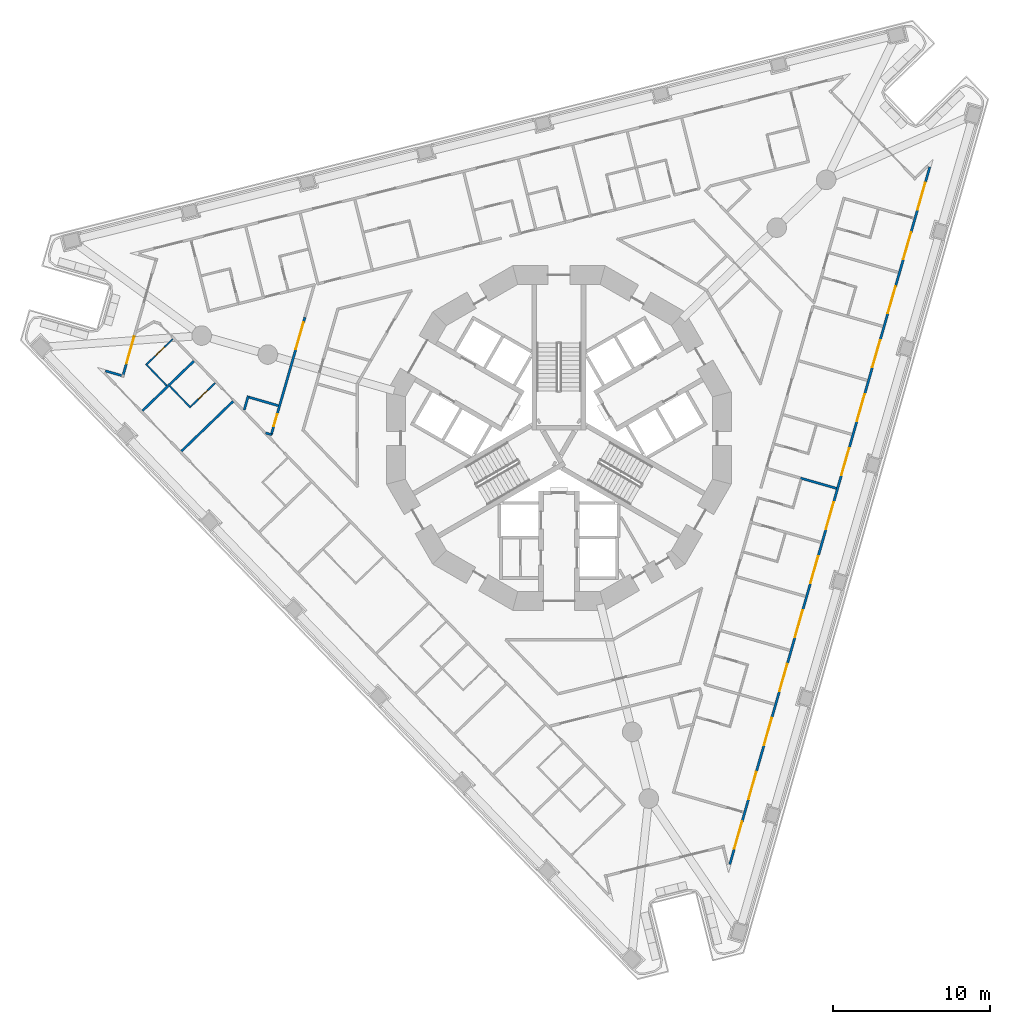
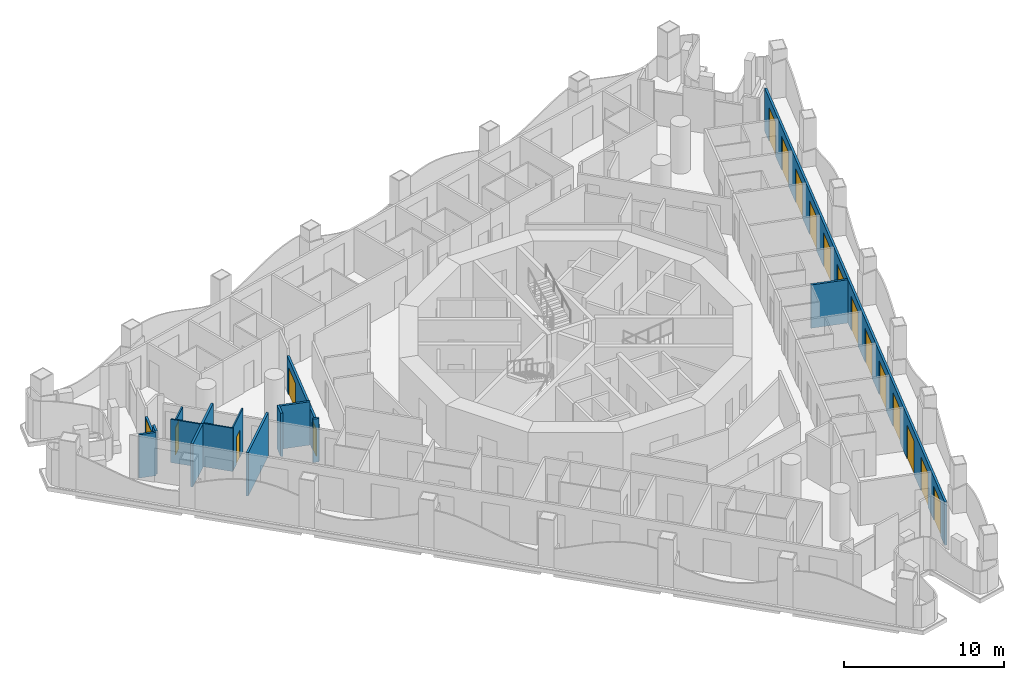
# One storey, part 6 of 20: 18 doors, 16 walls, 18 openings.
"""IFC4 building model written with IfcOpenShell, lengths in metres."""

from ifc_helpers import new_model, si_unit, direction, frame, frame_2d, origin, place, context, subcontext, project, spatial, polyline, rectangle, outline, extrude, material, layer, layer_set, type_object, element, fill, save


model = new_model("IFC4")

# Units and contexts
model_context = context("Model", 3, precision=1e-05, world=origin(), true_north=direction((0.0, 1.0)))
body_context = subcontext(model_context, "Body", "Model", "MODEL_VIEW")
ifc_project = project(units=[si_unit("LENGTHUNIT", "METRE"), si_unit("AREAUNIT", "SQUARE_METRE"), si_unit("VOLUMEUNIT", "CUBIC_METRE"), si_unit("PLANEANGLEUNIT", "RADIAN"), si_unit("MASSUNIT", "GRAM", prefix="KILO")], contexts=[model_context])

# Site, building, storey
site_placement = place(None, origin())
site = spatial("IfcSite", under=ifc_project, at=site_placement, CompositionType="ELEMENT")
building_placement = place(site_placement, origin())
building = spatial("IfcBuilding", under=site, at=building_placement, Name="Trine Commons Tower", CompositionType="ELEMENT")
storey_placement = place(building_placement, frame((0.0, 0.0, 101.699951171875)))
storey = spatial("IfcBuildingStorey", under=building, at=storey_placement, Name="L25", CompositionType="ELEMENT", Elevation=101.699951171875)

# Walls
ifc_material_1 = material(Name="Aluminium-framed insulated wall panel", Category="aluminium")
ifc_layer_1 = layer(ifc_material_1, 0.14990234375)
ifc_layer_set_1 = layer_set([ifc_layer_1], Name="Aluminium-framed insulated wall panel")
wall_type_1 = type_object("IfcWallType", Name="Glazed frame wall 150, EI 60", PredefinedType="SOLIDWALL", material=ifc_layer_set_1)
wall_1_placement = place(storey_placement, frame((50.88232421875, 66.82861328125, 0.0), z_axis=(0.0, 0.0, 1.0), x_axis=(0.961290718071, -0.275536123495, 0.0)))
element("IfcWall", 1, at=wall_1_placement, inside=storey, type_object=wall_type_1, Name="Glazed frame wall R1", PredefinedType="SOLIDWALL", context=body_context, shape_type="SweptSolid", body=[
    extrude(outline(polyline([(0.1494140625, 0.074951171875), (0.1494140625, -0.074951171875), (1.235107421875, -0.074951171875), (1.235107421875, 0.074951171875), (0.1494140625, 0.074951171875)])), origin(), (0.0, 0.0, 1.0), 3.300048828125),
])
wall_2_placement = place(storey_placement, frame((52.1318359375, 66.433837890625, 0.0), z_axis=(0.0, 0.0, 1.0), x_axis=(0.275567433055, 0.961281743215, 0.0)))
element("IfcWall", 2, at=wall_2_placement, inside=storey, type_object=wall_type_1, Name="Glazed frame wall P1.1", PredefinedType="SOLIDWALL", context=body_context, shape_type="SweptSolid", body=[
    extrude(outline(polyline([(0.110107421875, -0.074951171875), (0.800048828125, -0.074951171875), (0.800048828125, 0.074951171875), (0.110107421875, 0.074951171875), (0.110107421875, -0.074951171875)])), origin(), (0.0, 0.0, 1.0), 3.300048828125),
])

# Wall, opening, door
wall_3_placement = place(storey_placement, frame((52.352294921875, 67.202880859375, 0.0), z_axis=(0.0, 0.0, 1.0), x_axis=(0.275739195228, 0.961232488119, 0.0)))
wall_3 = element("IfcWall", 3, at=wall_3_placement, inside=storey, type_object=wall_type_1, Name="Glazed frame wall P1.2", PredefinedType="SOLIDWALL", context=body_context, shape_type="SweptSolid", body=[
    extrude(outline(polyline([(0.0, -0.074951171875), (1.89990234375, -0.074951171875), (1.89990234375, 0.074951171875), (0.0, 0.074951171875), (0.0, -0.074951171875)])), origin(), (0.0, 0.0, 1.0), 2.650146484375),
])
opening_1_placement = place(wall_3_placement, frame((0.050048828125, 0.0, 0.0)))
opening_1 = element("IfcOpeningElement", 4, at=opening_1_placement, cuts=wall_3, Name="Opening BD-3P1-01", PredefinedType="OPENING", context=body_context, shape_type="SweptSolid", body=[
    extrude(rectangle(XDim=1.800048828125, YDim=2.60009765625, at=frame_2d((0.89990234375, 1.300048828125))), frame((0.0, 0.0849609375, 0.0), z_axis=(0.0, -1.0, 0.0), x_axis=(1.0, 0.0, 0.0)), (0.0, 0.0, 1.0), 0.169921875),
])
ifc_material_2 = material(Name="Anodised aluminium frame with double glazing", Category="aluminium")
door_type_1 = type_object("IfcDoorType", Name="Sliding loggia door 1800x2600", OperationType="SLIDING_TO_LEFT", PredefinedType="DOOR", material=ifc_material_2)
door_1_placement = place(opening_1_placement, origin())
door_1 = element("IfcDoor", 5, at=door_1_placement, inside=storey, type_object=door_type_1, Name="Loggia door P1 1", OperationType="SLIDING_TO_LEFT", OverallHeight=2.60009765625, OverallWidth=1.800048828125, PredefinedType="DOOR", context=body_context, shape_type="SweptSolid", body=[
    extrude(rectangle(XDim=1.800048828125, YDim=2.60009765625, at=frame_2d((0.89990234375, 1.300048828125))), frame((0.0, 0.02490234375, 0.0), z_axis=(0.0, -1.0, 0.0), x_axis=(1.0, 0.0, 0.0)), (0.0, 0.0, 1.0), 0.050048828125),
])
fill(opening_1, door_1)

# Wall, openings, doors
wall_4_placement = place(storey_placement, frame((103.735107421875, 79.95703125, 0.0), z_axis=(0.0, 0.0, 1.0), x_axis=(-0.275637625225, -0.961261618687, 0.0)))
wall_4 = element("IfcWall", 6, at=wall_4_placement, inside=storey, type_object=wall_type_1, Name="Glazed frame wall F2", PredefinedType="SOLIDWALL", context=body_context, shape_type="SweptSolid", body=[
    extrude(outline(polyline([(0.1494140625, 0.074951171875), (0.1494140625, -0.074951171875), (46.496826171875, -0.074951171875), (46.496826171875, 0.074951171875), (0.1494140625, 0.074951171875)])), origin(), (0.0, 0.0, 1.0), 3.300048828125),
])
opening_2_placement = place(wall_4_placement, frame((1.194091796875, 0.0, 0.0)))
opening_2 = element("IfcOpeningElement", 7, at=opening_2_placement, cuts=wall_4, Name="Opening BD-3F2-01", PredefinedType="OPENING", context=body_context, shape_type="SweptSolid", body=[
    extrude(rectangle(XDim=1.800048828125, YDim=2.60009765625, at=frame_2d((0.89990234375, 1.300048828125))), frame((0.0, 0.0849609375, 0.0), z_axis=(0.0, -1.0, 0.0), x_axis=(1.0, 0.0, 0.0)), (0.0, 0.0, 1.0), 0.169921875),
])
opening_3_placement = place(wall_4_placement, frame((4.482421875, 0.0, 0.0)))
opening_3 = element("IfcOpeningElement", 8, at=opening_3_placement, cuts=wall_4, Name="Opening BD-3F2-02", PredefinedType="OPENING", context=body_context, shape_type="SweptSolid", body=[
    extrude(rectangle(XDim=1.800048828125, YDim=2.60009765625, at=frame_2d((0.89990234375, 1.300048828125))), frame((0.0, 0.0849609375, 0.0), z_axis=(0.0, -1.0, 0.0), x_axis=(1.0, 0.0, 0.0)), (0.0, 0.0, 1.0), 0.169921875),
])
opening_4_placement = place(wall_4_placement, frame((8.070556640625, 0.0, 0.0)))
opening_4 = element("IfcOpeningElement", 9, at=opening_4_placement, cuts=wall_4, Name="Opening BD-3F2-03", PredefinedType="OPENING", context=body_context, shape_type="SweptSolid", body=[
    extrude(rectangle(XDim=1.800048828125, YDim=2.60009765625, at=frame_2d((0.89990234375, 1.300048828125))), frame((0.0, 0.0849609375, 0.0), z_axis=(0.0, -1.0, 0.0), x_axis=(1.0, 0.0, 0.0)), (0.0, 0.0, 1.0), 0.169921875),
])
opening_5_placement = place(wall_4_placement, frame((11.65869140625, 0.0, 0.0)))
opening_5 = element("IfcOpeningElement", 10, at=opening_5_placement, cuts=wall_4, Name="Opening BD-3F2-04", PredefinedType="OPENING", context=body_context, shape_type="SweptSolid", body=[
    extrude(rectangle(XDim=1.800048828125, YDim=2.60009765625, at=frame_2d((0.89990234375, 1.300048828125))), frame((0.0, 0.0849609375, 0.0), z_axis=(0.0, -1.0, 0.0), x_axis=(1.0, 0.0, 0.0)), (0.0, 0.0, 1.0), 0.169921875),
])
opening_6_placement = place(wall_4_placement, frame((15.246826171875, 0.0, 0.0)))
opening_6 = element("IfcOpeningElement", 11, at=opening_6_placement, cuts=wall_4, Name="Opening BD-3F2-05", PredefinedType="OPENING", context=body_context, shape_type="SweptSolid", body=[
    extrude(rectangle(XDim=1.800048828125, YDim=2.60009765625, at=frame_2d((0.89990234375, 1.300048828125))), frame((0.0, 0.0849609375, 0.0), z_axis=(0.0, -1.0, 0.0), x_axis=(1.0, 0.0, 0.0)), (0.0, 0.0, 1.0), 0.169921875),
])
opening_7_placement = place(wall_4_placement, frame((18.835205078125, 0.0, 0.0)))
opening_7 = element("IfcOpeningElement", 12, at=opening_7_placement, cuts=wall_4, Name="Opening BD-3F2-06", PredefinedType="OPENING", context=body_context, shape_type="SweptSolid", body=[
    extrude(rectangle(XDim=1.800048828125, YDim=2.60009765625, at=frame_2d((0.89990234375, 1.300048828125))), frame((0.0, 0.0849609375, 0.0), z_axis=(0.0, -1.0, 0.0), x_axis=(1.0, 0.0, 0.0)), (0.0, 0.0, 1.0), 0.169921875),
])
opening_8_placement = place(wall_4_placement, frame((22.42333984375, 0.0, 0.0)))
opening_8 = element("IfcOpeningElement", 13, at=opening_8_placement, cuts=wall_4, Name="Opening BD-3F2-07", PredefinedType="OPENING", context=body_context, shape_type="SweptSolid", body=[
    extrude(rectangle(XDim=1.800048828125, YDim=2.60009765625, at=frame_2d((0.89990234375, 1.300048828125))), frame((0.0, 0.0849609375, 0.0), z_axis=(0.0, -1.0, 0.0), x_axis=(1.0, 0.0, 0.0)), (0.0, 0.0, 1.0), 0.169921875),
])
opening_9_placement = place(wall_4_placement, frame((26.011474609375, 0.0, 0.0)))
opening_9 = element("IfcOpeningElement", 14, at=opening_9_placement, cuts=wall_4, Name="Opening BD-3F2-08", PredefinedType="OPENING", context=body_context, shape_type="SweptSolid", body=[
    extrude(rectangle(XDim=1.800048828125, YDim=2.60009765625, at=frame_2d((0.89990234375, 1.300048828125))), frame((0.0, 0.0849609375, 0.0), z_axis=(0.0, -1.0, 0.0), x_axis=(1.0, 0.0, 0.0)), (0.0, 0.0, 1.0), 0.169921875),
])
opening_10_placement = place(wall_4_placement, frame((29.599609375, 0.0, 0.0)))
opening_10 = element("IfcOpeningElement", 15, at=opening_10_placement, cuts=wall_4, Name="Opening BD-3F2-09", PredefinedType="OPENING", context=body_context, shape_type="SweptSolid", body=[
    extrude(rectangle(XDim=1.800048828125, YDim=2.60009765625, at=frame_2d((0.89990234375, 1.300048828125))), frame((0.0, 0.0849609375, 0.0), z_axis=(0.0, -1.0, 0.0), x_axis=(1.0, 0.0, 0.0)), (0.0, 0.0, 1.0), 0.169921875),
])
opening_11_placement = place(wall_4_placement, frame((33.18798828125, 0.0, 0.0)))
opening_11 = element("IfcOpeningElement", 16, at=opening_11_placement, cuts=wall_4, Name="Opening BD-3F2-10", PredefinedType="OPENING", context=body_context, shape_type="SweptSolid", body=[
    extrude(rectangle(XDim=1.800048828125, YDim=2.60009765625, at=frame_2d((0.89990234375, 1.300048828125))), frame((0.0, 0.0849609375, 0.0), z_axis=(0.0, -1.0, 0.0), x_axis=(1.0, 0.0, 0.0)), (0.0, 0.0, 1.0), 0.169921875),
])
opening_12_placement = place(wall_4_placement, frame((36.776123046875, 0.0, 0.0)))
opening_12 = element("IfcOpeningElement", 17, at=opening_12_placement, cuts=wall_4, Name="Opening BD-3F2-11", PredefinedType="OPENING", context=body_context, shape_type="SweptSolid", body=[
    extrude(rectangle(XDim=1.800048828125, YDim=2.60009765625, at=frame_2d((0.89990234375, 1.300048828125))), frame((0.0, 0.0849609375, 0.0), z_axis=(0.0, -1.0, 0.0), x_axis=(1.0, 0.0, 0.0)), (0.0, 0.0, 1.0), 0.169921875),
])
opening_13_placement = place(wall_4_placement, frame((40.3642578125, 0.0, 0.0)))
opening_13 = element("IfcOpeningElement", 18, at=opening_13_placement, cuts=wall_4, Name="Opening BD-3F2-12", PredefinedType="OPENING", context=body_context, shape_type="SweptSolid", body=[
    extrude(rectangle(XDim=1.800048828125, YDim=2.60009765625, at=frame_2d((0.89990234375, 1.300048828125))), frame((0.0, 0.0849609375, 0.0), z_axis=(0.0, -1.0, 0.0), x_axis=(1.0, 0.0, 0.0)), (0.0, 0.0, 1.0), 0.169921875),
])
opening_14_placement = place(wall_4_placement, frame((43.652587890625, 0.0, 0.0)))
opening_14 = element("IfcOpeningElement", 19, at=opening_14_placement, cuts=wall_4, Name="Opening BD-3F2-13", PredefinedType="OPENING", context=body_context, shape_type="SweptSolid", body=[
    extrude(rectangle(XDim=1.800048828125, YDim=2.60009765625, at=frame_2d((0.89990234375, 1.300048828125))), frame((0.0, 0.0849609375, 0.0), z_axis=(0.0, -1.0, 0.0), x_axis=(1.0, 0.0, 0.0)), (0.0, 0.0, 1.0), 0.169921875),
])
door_2_placement = place(opening_2_placement, origin())
door_2 = element("IfcDoor", 20, at=door_2_placement, inside=storey, type_object=door_type_1, Name="Loggia door F2 1", OperationType="SLIDING_TO_LEFT", OverallHeight=2.60009765625, OverallWidth=1.800048828125, PredefinedType="DOOR", context=body_context, shape_type="SweptSolid", body=[
    extrude(rectangle(XDim=1.800048828125, YDim=2.60009765625, at=frame_2d((0.89990234375, 1.300048828125))), frame((0.0, 0.02490234375, 0.0), z_axis=(0.0, -1.0, 0.0), x_axis=(1.0, 0.0, 0.0)), (0.0, 0.0, 1.0), 0.050048828125),
])
fill(opening_2, door_2)
door_3_placement = place(opening_3_placement, origin())
door_3 = element("IfcDoor", 21, at=door_3_placement, inside=storey, type_object=door_type_1, Name="Loggia door F2 2", OperationType="SLIDING_TO_LEFT", OverallHeight=2.60009765625, OverallWidth=1.800048828125, PredefinedType="DOOR", context=body_context, shape_type="SweptSolid", body=[
    extrude(rectangle(XDim=1.800048828125, YDim=2.60009765625, at=frame_2d((0.89990234375, 1.300048828125))), frame((0.0, 0.02490234375, 0.0), z_axis=(0.0, -1.0, 0.0), x_axis=(1.0, 0.0, 0.0)), (0.0, 0.0, 1.0), 0.050048828125),
])
fill(opening_3, door_3)
door_4_placement = place(opening_4_placement, origin())
door_4 = element("IfcDoor", 22, at=door_4_placement, inside=storey, type_object=door_type_1, Name="Loggia door F2 3", OperationType="SLIDING_TO_LEFT", OverallHeight=2.60009765625, OverallWidth=1.800048828125, PredefinedType="DOOR", context=body_context, shape_type="SweptSolid", body=[
    extrude(rectangle(XDim=1.800048828125, YDim=2.60009765625, at=frame_2d((0.89990234375, 1.300048828125))), frame((0.0, 0.02490234375, 0.0), z_axis=(0.0, -1.0, 0.0), x_axis=(1.0, 0.0, 0.0)), (0.0, 0.0, 1.0), 0.050048828125),
])
fill(opening_4, door_4)
door_5_placement = place(opening_5_placement, origin())
door_5 = element("IfcDoor", 23, at=door_5_placement, inside=storey, type_object=door_type_1, Name="Loggia door F2 4", OperationType="SLIDING_TO_LEFT", OverallHeight=2.60009765625, OverallWidth=1.800048828125, PredefinedType="DOOR", context=body_context, shape_type="SweptSolid", body=[
    extrude(rectangle(XDim=1.800048828125, YDim=2.60009765625, at=frame_2d((0.89990234375, 1.300048828125))), frame((0.0, 0.02490234375, 0.0), z_axis=(0.0, -1.0, 0.0), x_axis=(1.0, 0.0, 0.0)), (0.0, 0.0, 1.0), 0.050048828125),
])
fill(opening_5, door_5)
door_6_placement = place(opening_6_placement, origin())
door_6 = element("IfcDoor", 24, at=door_6_placement, inside=storey, type_object=door_type_1, Name="Loggia door F2 5", OperationType="SLIDING_TO_LEFT", OverallHeight=2.60009765625, OverallWidth=1.800048828125, PredefinedType="DOOR", context=body_context, shape_type="SweptSolid", body=[
    extrude(rectangle(XDim=1.800048828125, YDim=2.60009765625, at=frame_2d((0.89990234375, 1.300048828125))), frame((0.0, 0.02490234375, 0.0), z_axis=(0.0, -1.0, 0.0), x_axis=(1.0, 0.0, 0.0)), (0.0, 0.0, 1.0), 0.050048828125),
])
fill(opening_6, door_6)
door_7_placement = place(opening_7_placement, origin())
door_7 = element("IfcDoor", 25, at=door_7_placement, inside=storey, type_object=door_type_1, Name="Loggia door F2 6", OperationType="SLIDING_TO_LEFT", OverallHeight=2.60009765625, OverallWidth=1.800048828125, PredefinedType="DOOR", context=body_context, shape_type="SweptSolid", body=[
    extrude(rectangle(XDim=1.800048828125, YDim=2.60009765625, at=frame_2d((0.89990234375, 1.300048828125))), frame((0.0, 0.02490234375, 0.0), z_axis=(0.0, -1.0, 0.0), x_axis=(1.0, 0.0, 0.0)), (0.0, 0.0, 1.0), 0.050048828125),
])
fill(opening_7, door_7)
door_8_placement = place(opening_8_placement, origin())
door_8 = element("IfcDoor", 26, at=door_8_placement, inside=storey, type_object=door_type_1, Name="Loggia door F2 7", OperationType="SLIDING_TO_LEFT", OverallHeight=2.60009765625, OverallWidth=1.800048828125, PredefinedType="DOOR", context=body_context, shape_type="SweptSolid", body=[
    extrude(rectangle(XDim=1.800048828125, YDim=2.60009765625, at=frame_2d((0.89990234375, 1.300048828125))), frame((0.0, 0.02490234375, 0.0), z_axis=(0.0, -1.0, 0.0), x_axis=(1.0, 0.0, 0.0)), (0.0, 0.0, 1.0), 0.050048828125),
])
fill(opening_8, door_8)
door_9_placement = place(opening_9_placement, origin())
door_9 = element("IfcDoor", 27, at=door_9_placement, inside=storey, type_object=door_type_1, Name="Loggia door F2 8", OperationType="SLIDING_TO_LEFT", OverallHeight=2.60009765625, OverallWidth=1.800048828125, PredefinedType="DOOR", context=body_context, shape_type="SweptSolid", body=[
    extrude(rectangle(XDim=1.800048828125, YDim=2.60009765625, at=frame_2d((0.89990234375, 1.300048828125))), frame((0.0, 0.02490234375, 0.0), z_axis=(0.0, -1.0, 0.0), x_axis=(1.0, 0.0, 0.0)), (0.0, 0.0, 1.0), 0.050048828125),
])
fill(opening_9, door_9)
door_10_placement = place(opening_10_placement, origin())
door_10 = element("IfcDoor", 28, at=door_10_placement, inside=storey, type_object=door_type_1, Name="Loggia door F2 9", OperationType="SLIDING_TO_LEFT", OverallHeight=2.60009765625, OverallWidth=1.800048828125, PredefinedType="DOOR", context=body_context, shape_type="SweptSolid", body=[
    extrude(rectangle(XDim=1.800048828125, YDim=2.60009765625, at=frame_2d((0.89990234375, 1.300048828125))), frame((0.0, 0.02490234375, 0.0), z_axis=(0.0, -1.0, 0.0), x_axis=(1.0, 0.0, 0.0)), (0.0, 0.0, 1.0), 0.050048828125),
])
fill(opening_10, door_10)
door_11_placement = place(opening_11_placement, origin())
door_11 = element("IfcDoor", 29, at=door_11_placement, inside=storey, type_object=door_type_1, Name="Loggia door F2 10", OperationType="SLIDING_TO_LEFT", OverallHeight=2.60009765625, OverallWidth=1.800048828125, PredefinedType="DOOR", context=body_context, shape_type="SweptSolid", body=[
    extrude(rectangle(XDim=1.800048828125, YDim=2.60009765625, at=frame_2d((0.89990234375, 1.300048828125))), frame((0.0, 0.02490234375, 0.0), z_axis=(0.0, -1.0, 0.0), x_axis=(1.0, 0.0, 0.0)), (0.0, 0.0, 1.0), 0.050048828125),
])
fill(opening_11, door_11)
door_12_placement = place(opening_12_placement, origin())
door_12 = element("IfcDoor", 30, at=door_12_placement, inside=storey, type_object=door_type_1, Name="Loggia door F2 11", OperationType="SLIDING_TO_LEFT", OverallHeight=2.60009765625, OverallWidth=1.800048828125, PredefinedType="DOOR", context=body_context, shape_type="SweptSolid", body=[
    extrude(rectangle(XDim=1.800048828125, YDim=2.60009765625, at=frame_2d((0.89990234375, 1.300048828125))), frame((0.0, 0.02490234375, 0.0), z_axis=(0.0, -1.0, 0.0), x_axis=(1.0, 0.0, 0.0)), (0.0, 0.0, 1.0), 0.050048828125),
])
fill(opening_12, door_12)
door_13_placement = place(opening_13_placement, origin())
door_13 = element("IfcDoor", 31, at=door_13_placement, inside=storey, type_object=door_type_1, Name="Loggia door F2 12", OperationType="SLIDING_TO_LEFT", OverallHeight=2.60009765625, OverallWidth=1.800048828125, PredefinedType="DOOR", context=body_context, shape_type="SweptSolid", body=[
    extrude(rectangle(XDim=1.800048828125, YDim=2.60009765625, at=frame_2d((0.89990234375, 1.300048828125))), frame((0.0, 0.02490234375, 0.0), z_axis=(0.0, -1.0, 0.0), x_axis=(1.0, 0.0, 0.0)), (0.0, 0.0, 1.0), 0.050048828125),
])
fill(opening_13, door_13)
door_14_placement = place(opening_14_placement, origin())
door_14 = element("IfcDoor", 32, at=door_14_placement, inside=storey, type_object=door_type_1, Name="Loggia door F2 13", OperationType="SLIDING_TO_LEFT", OverallHeight=2.60009765625, OverallWidth=1.800048828125, PredefinedType="DOOR", context=body_context, shape_type="SweptSolid", body=[
    extrude(rectangle(XDim=1.800048828125, YDim=2.60009765625, at=frame_2d((0.89990234375, 1.300048828125))), frame((0.0, 0.02490234375, 0.0), z_axis=(0.0, -1.0, 0.0), x_axis=(1.0, 0.0, 0.0)), (0.0, 0.0, 1.0), 0.050048828125),
])
fill(opening_14, door_14)

# Walls
ifc_material_3 = material(Name="Gypsum plasterboard on steel stud", Category="steel")
ifc_layer_2 = layer(ifc_material_3, 0.14990234375)
ifc_layer_set_2 = layer_set([ifc_layer_2], Name="Gypsum plasterboard on steel stud")
wall_type_2 = type_object("IfcWallType", Name="Unit and corridor wall 150 mm, EI 60", PredefinedType="PARTITIONING", material=ifc_layer_set_2)
wall_5_placement = place(storey_placement, frame((53.393798828125, 64.24169921875, 0.0), z_axis=(0.0, 0.0, 1.0), x_axis=(0.719519490092, 0.694472248098, 0.0)))
element("IfcWall", 33, at=wall_5_placement, inside=storey, type_object=wall_type_2, Name="Partition 002", PredefinedType="PARTITIONING", context=body_context, shape_type="SweptSolid", body=[
    extrude(rectangle(XDim=2.28076171875, YDim=0.14990234375, at=frame_2d((1.140380859375, 0.0))), origin(), (0.0, 0.0, 1.0), 3.300048828125),
])
wall_6_placement = place(storey_placement, frame((55.047119140625, 65.83837890625, 0.0), z_axis=(0.0, 0.0, 1.0), x_axis=(0.719183209113, 0.694820488853, 0.0)))
element("IfcWall", 34, at=wall_6_placement, inside=storey, type_object=wall_type_2, Name="Partition 008", PredefinedType="PARTITIONING", context=body_context, shape_type="SweptSolid", body=[
    extrude(rectangle(XDim=2.27490234375, YDim=0.14990234375, at=frame_2d((1.137451171875, 0.0))), origin(), (0.0, 0.0, 1.0), 3.300048828125),
])
wall_7_placement = place(storey_placement, frame((55.88671875, 61.660888671875, 0.0), z_axis=(0.0, 0.0, 1.0), x_axis=(0.719385819916, 0.694610712632, 0.0)))
element("IfcWall", 35, at=wall_7_placement, inside=storey, type_object=wall_type_2, Name="Partition 009", PredefinedType="PARTITIONING", context=body_context, shape_type="SweptSolid", body=[
    extrude(rectangle(XDim=4.572265625, YDim=0.14990234375, at=frame_2d((2.2861328125, 0.0))), origin(), (0.0, 0.0, 1.0), 3.300048828125),
])
wall_8_placement = place(storey_placement, frame((59.8935546875, 64.295166015625, 0.0), z_axis=(0.0, 0.0, 1.0), x_axis=(0.275099226296, 0.96141583911, 0.0)))
element("IfcWall", 36, at=wall_8_placement, inside=storey, type_object=wall_type_2, Name="Partition 016", PredefinedType="PARTITIONING", context=body_context, shape_type="SweptSolid", body=[
    extrude(rectangle(XDim=0.93798828125, YDim=0.14990234375, at=frame_2d((0.468994140625, 0.0))), origin(), (0.0, 0.0, 1.0), 3.300048828125),
])
wall_9_placement = place(storey_placement, frame((60.203125, 65.104248046875, 0.0), z_axis=(0.0, 0.0, 1.0), x_axis=(0.961258970078, -0.275646861845, 0.0)))
element("IfcWall", 37, at=wall_9_placement, inside=storey, type_object=wall_type_2, Name="Partition 018", PredefinedType="PARTITIONING", context=body_context, shape_type="SweptSolid", body=[
    extrude(rectangle(XDim=1.9501953125, YDim=0.14990234375, at=frame_2d((0.97509765625, 0.0))), origin(), (0.0, 0.0, 1.0), 3.300048828125),
])
wall_10_placement = place(storey_placement, frame((61.261962890625, 62.823974609375, 0.0), z_axis=(0.0, 0.0, 1.0), x_axis=(0.960829843292, -0.2771389764, 0.0)))
element("IfcWall", 38, at=wall_10_placement, inside=storey, type_object=wall_type_2, Name="Partition 022", PredefinedType="PARTITIONING", context=body_context, shape_type="SweptSolid", body=[
    extrude(rectangle(XDim=0.39990234375, YDim=0.14990234375, at=frame_2d((0.199951171875, 0.0))), origin(), (0.0, 0.0, 1.0), 3.300048828125),
])

# Wall, openings, doors
wall_11_placement = place(storey_placement, frame((61.625, 62.715087890625, 0.0), z_axis=(0.0, 0.0, 1.0), x_axis=(0.275614307244, 0.961268304711, 0.0)))
wall_11 = element("IfcWall", 39, at=wall_11_placement, inside=storey, type_object=wall_type_2, Name="Partition 023", PredefinedType="PARTITIONING", context=body_context, shape_type="SweptSolid", body=[
    extrude(rectangle(XDim=7.796875, YDim=0.14990234375, at=frame_2d((3.8984375, 0.0))), origin(), (0.0, 0.0, 1.0), 2.75),
])
opening_15_placement = place(wall_11_placement, frame((5.67919921875, 0.0, 0.0)))
opening_15 = element("IfcOpeningElement", 40, at=opening_15_placement, cuts=wall_11, Name="Opening D-3B03", PredefinedType="OPENING", context=body_context, shape_type="SweptSolid", body=[
    extrude(rectangle(XDim=1.800048828125, YDim=2.10009765625, at=frame_2d((0.89990234375, 1.050048828125))), frame((0.0, 0.0849609375, 0.0), z_axis=(0.0, -1.0, 0.0), x_axis=(1.0, 0.0, 0.0)), (0.0, 0.0, 1.0), 0.169921875),
])
opening_16_placement = place(wall_11_placement, frame((0.554443359375, 0.0, 0.0)))
opening_16 = element("IfcOpeningElement", 41, at=opening_16_placement, cuts=wall_11, Name="Opening D-3B06", PredefinedType="OPENING", context=body_context, shape_type="SweptSolid", body=[
    extrude(rectangle(XDim=0.800048828125, YDim=2.10009765625, at=frame_2d((0.39990234375, 1.050048828125))), frame((0.0, 0.0849609375, 0.0), z_axis=(0.0, -1.0, 0.0), x_axis=(1.0, 0.0, 0.0)), (0.0, 0.0, 1.0), 0.169921875),
])
ifc_material_4 = material(Name="Timber fire door set", Category="wood")
door_type_2 = type_object("IfcDoorType", Name="Cluster entrance door 1800 x 2100, double leaf, FD30S", OperationType="DOUBLE_DOOR_DOUBLE_SWING", PredefinedType="DOOR", material=ifc_material_4)
door_15_placement = place(opening_15_placement, origin())
door_15 = element("IfcDoor", 42, at=door_15_placement, inside=storey, type_object=door_type_2, Name="Door D-3B03", OperationType="DOUBLE_DOOR_DOUBLE_SWING", OverallHeight=2.10009765625, OverallWidth=1.800048828125, PredefinedType="DOOR", context=body_context, shape_type="SweptSolid", body=[
    extrude(rectangle(XDim=1.800048828125, YDim=2.10009765625, at=frame_2d((0.89990234375, 1.050048828125))), frame((0.0, 0.02490234375, 0.0), z_axis=(0.0, -1.0, 0.0), x_axis=(1.0, 0.0, 0.0)), (0.0, 0.0, 1.0), 0.050048828125),
])
fill(opening_15, door_15)
ifc_material_5 = material(Name="Painted timber", Category="wood")
door_type_3 = type_object("IfcDoorType", Name="Toilet door 800 x 2100, NOT RATED", OperationType="NOTDEFINED", PredefinedType="DOOR", material=ifc_material_5)
door_16_placement = place(opening_16_placement, origin())
door_16 = element("IfcDoor", 43, at=door_16_placement, inside=storey, type_object=door_type_3, Name="Door D-3B06", OperationType="SINGLE_SWING_LEFT", OverallHeight=2.10009765625, OverallWidth=0.800048828125, PredefinedType="DOOR", context=body_context, shape_type="SweptSolid", body=[
    extrude(rectangle(XDim=0.800048828125, YDim=2.10009765625, at=frame_2d((0.39990234375, 1.050048828125))), frame((0.0, 0.02490234375, 0.0), z_axis=(0.0, -1.0, 0.0), x_axis=(1.0, 0.0, 0.0)), (0.0, 0.0, 1.0), 0.050048828125),
])
fill(opening_16, door_16)

# Walls
wall_12_placement = place(storey_placement, frame((95.43994140625, 59.938720703125, 0.0), z_axis=(0.0, 0.0, 1.0), x_axis=(0.961314697261, -0.275452451125, 0.0)))
element("IfcWall", 44, at=wall_12_placement, inside=storey, type_object=wall_type_2, Name="Partition 141", PredefinedType="PARTITIONING", context=body_context, shape_type="SweptSolid", body=[
    extrude(rectangle(XDim=2.380615234375, YDim=0.14990234375, at=frame_2d((1.1904296875, 0.0))), origin(), (0.0, 0.0, 1.0), 3.300048828125),
])
ifc_layer_3 = layer(ifc_material_3, 0.10009765625)
ifc_layer_set_3 = layer_set([ifc_layer_3], Name="Gypsum plasterboard on steel stud")
wall_type_3 = type_object("IfcWallType", Name="Unit partition 100 mm, no rating", PredefinedType="PARTITIONING", material=ifc_layer_set_3)
wall_13_placement = place(storey_placement, frame((53.607421875, 67.22802734375, 0.0), z_axis=(0.0, 0.0, 1.0), x_axis=(0.694372631144, -0.719615625955, 0.0)))
element("IfcWall", 45, at=wall_13_placement, inside=storey, type_object=wall_type_3, Name="Partition 003", PredefinedType="PARTITIONING", context=body_context, shape_type="SweptSolid", body=[
    extrude(rectangle(XDim=1.924560546875, YDim=0.10009765625, at=frame_2d((0.96240234375, 0.0))), origin(), (0.0, 0.0, 1.0), 3.300048828125),
])

# Wall, opening, door
wall_14_placement = place(storey_placement, frame((53.677978515625, 67.226806640625, 0.0), z_axis=(0.0, 0.0, 1.0), x_axis=(0.719443618251, 0.694550847784, 0.0)))
wall_14 = element("IfcWall", 46, at=wall_14_placement, inside=storey, type_object=wall_type_3, Name="Partition 004", PredefinedType="PARTITIONING", context=body_context, shape_type="SweptSolid", body=[
    extrude(rectangle(XDim=2.294921875, YDim=0.10009765625, at=frame_2d((1.1474609375, 0.0))), origin(), (0.0, 0.0, 1.0), 2.650146484375),
])
opening_17_placement = place(wall_14_placement, frame((0.74755859375, 0.0, 0.0)))
opening_17 = element("IfcOpeningElement", 47, at=opening_17_placement, cuts=wall_14, Name="Opening D-3B65", PredefinedType="OPENING", context=body_context, shape_type="SweptSolid", body=[
    extrude(rectangle(XDim=0.800048828125, YDim=2.10009765625, at=frame_2d((0.39990234375, 1.050048828125))), frame((0.0, 0.06005859375, 0.0), z_axis=(0.0, -1.0, 0.0), x_axis=(1.0, 0.0, 0.0)), (0.0, 0.0, 1.0), 0.1201171875),
])
door_type_4 = type_object("IfcDoorType", Name="Internal door 800 x 2100, NOT RATED", OperationType="NOTDEFINED", PredefinedType="DOOR", material=ifc_material_5)
door_17_placement = place(opening_17_placement, origin())
door_17 = element("IfcDoor", 48, at=door_17_placement, inside=storey, type_object=door_type_4, Name="Door D-3B65", OperationType="SINGLE_SWING_LEFT", OverallHeight=2.10009765625, OverallWidth=0.800048828125, PredefinedType="DOOR", context=body_context, shape_type="SweptSolid", body=[
    extrude(rectangle(XDim=0.800048828125, YDim=2.10009765625, at=frame_2d((0.39990234375, 1.050048828125))), frame((0.0, 0.02490234375, 0.0), z_axis=(0.0, -1.0, 0.0), x_axis=(1.0, 0.0, 0.0)), (0.0, 0.0, 1.0), 0.050048828125),
])
fill(opening_17, door_17)

# Wall
wall_15_placement = place(storey_placement, frame((55.135009765625, 65.819091796875, 0.0), z_axis=(0.0, 0.0, 1.0), x_axis=(0.694438310909, -0.719552244345, 0.0)))
element("IfcWall", 49, at=wall_15_placement, inside=storey, type_object=wall_type_3, Name="Partition 007", PredefinedType="PARTITIONING", context=body_context, shape_type="SweptSolid", body=[
    extrude(rectangle(XDim=1.9248046875, YDim=0.10009765625, at=frame_2d((0.96240234375, 0.0))), origin(), (0.0, 0.0, 1.0), 3.300048828125),
])

# Wall, opening, door
wall_16_placement = place(storey_placement, frame((56.472900390625, 64.504638671875, 0.0), z_axis=(0.0, 0.0, 1.0), x_axis=(0.719397593573, 0.69459851883, 0.0)))
wall_16 = element("IfcWall", 50, at=wall_16_placement, inside=storey, type_object=wall_type_3, Name="Partition 010", PredefinedType="PARTITIONING", context=body_context, shape_type="SweptSolid", body=[
    extrude(rectangle(XDim=2.17578125, YDim=0.10009765625, at=frame_2d((1.087890625, 0.0))), origin(), (0.0, 0.0, 1.0), 3.300048828125),
])
opening_18_placement = place(wall_16_placement, frame((0.687744140625, 0.0, 0.0)))
opening_18 = element("IfcOpeningElement", 51, at=opening_18_placement, cuts=wall_16, Name="Opening D-3B64", PredefinedType="OPENING", context=body_context, shape_type="SweptSolid", body=[
    extrude(rectangle(XDim=0.800048828125, YDim=2.10009765625, at=frame_2d((0.39990234375, 1.050048828125))), frame((0.0, 0.06005859375, 0.0), z_axis=(0.0, -1.0, 0.0), x_axis=(1.0, 0.0, 0.0)), (0.0, 0.0, 1.0), 0.1201171875),
])
door_18_placement = place(opening_18_placement, frame((0.800048828125, 0.0, 0.0), z_axis=(0.0, 0.0, 1.0), x_axis=(-1.0, 0.0, 0.0)))
door_18 = element("IfcDoor", 52, at=door_18_placement, inside=storey, type_object=door_type_4, Name="Door D-3B64", OperationType="SINGLE_SWING_RIGHT", OverallHeight=2.10009765625, OverallWidth=0.800048828125, PredefinedType="DOOR", context=body_context, shape_type="SweptSolid", body=[
    extrude(rectangle(XDim=0.800048828125, YDim=2.10009765625, at=frame_2d((0.39990234375, 1.050048828125))), frame((0.0, 0.02490234375, 0.0), z_axis=(0.0, -1.0, 0.0), x_axis=(1.0, 0.0, 0.0)), (0.0, 0.0, 1.0), 0.050048828125),
])
fill(opening_18, door_18)

save(model, "model.ifc")
